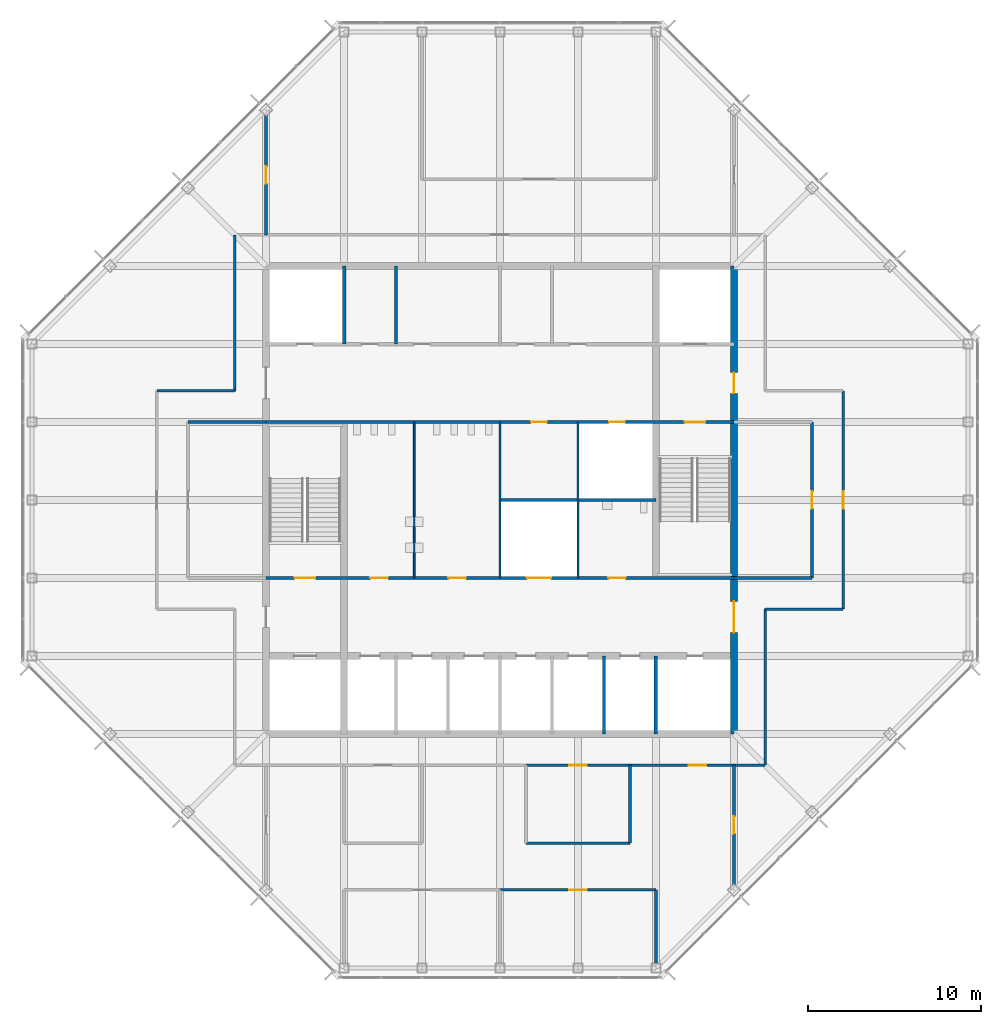
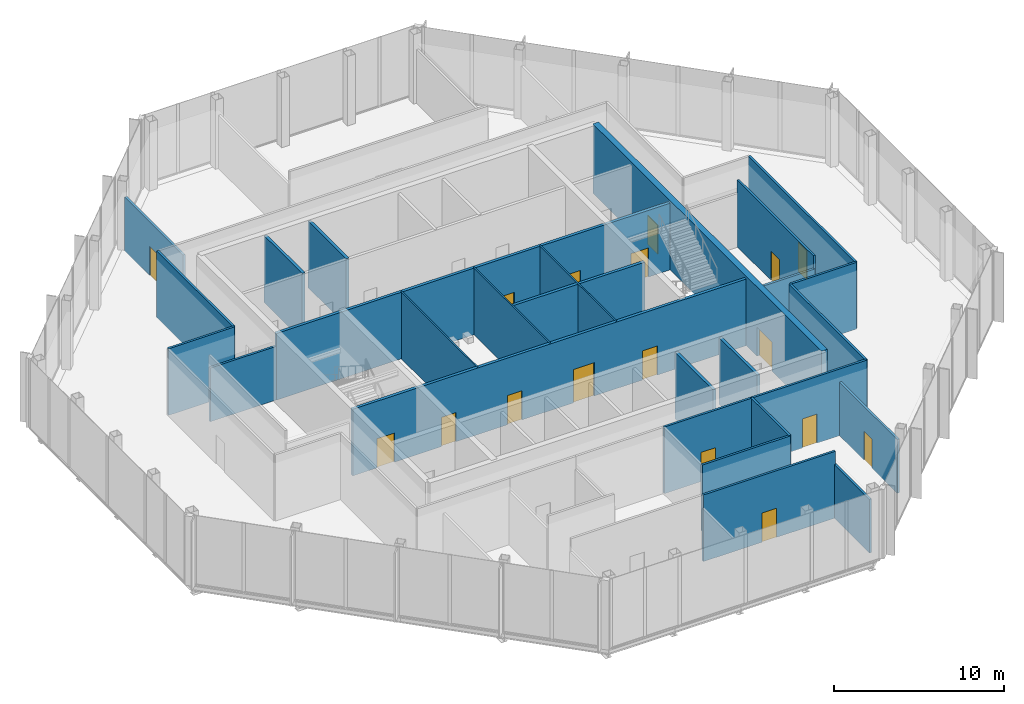
# One storey, part 8 of 11: 27 walls, 17 doors, 17 openings.
"""IFC4 building model written with IfcOpenShell, lengths in metres."""

from ifc_helpers import new_model, si_unit, direction, frame, frame_2d, origin, place, context, subcontext, project, spatial, rectangle, extrude, material, layer, layer_set, type_object, element, fill, save


model = new_model("IFC4")

# Units and contexts
model_context = context("Model", 3, precision=1e-05, world=origin(), true_north=direction((0.0, 1.0)))
body_context = subcontext(model_context, "Body", "Model", "MODEL_VIEW")
ifc_project = project(units=[si_unit("LENGTHUNIT", "METRE"), si_unit("AREAUNIT", "SQUARE_METRE"), si_unit("VOLUMEUNIT", "CUBIC_METRE"), si_unit("PLANEANGLEUNIT", "RADIAN"), si_unit("MASSUNIT", "GRAM", prefix="KILO")], contexts=[model_context])

# Site, building, storey
site_placement = place(None, origin())
site = spatial("IfcSite", under=ifc_project, at=site_placement, CompositionType="ELEMENT")
building_placement = place(site_placement, origin())
building = spatial("IfcBuilding", under=site, at=building_placement, Name="Corais Broadcast Tower", CompositionType="ELEMENT")
storey_placement = place(building_placement, frame((0.0, 0.0, 315.10009765625)))
storey = spatial("IfcBuildingStorey", under=building, at=storey_placement, Name="L74", CompositionType="ELEMENT", Elevation=315.10009765625)

# Walls
ifc_material_1 = material(Name="Concrete blockwork class A, grouted, two-hour", Category="masonry")
ifc_layer_1 = layer(ifc_material_1, 0.199951171875)
ifc_layer_set_1 = layer_set([ifc_layer_1], Name="Concrete blockwork class A, grouted, two-hour")
wall_type_1 = type_object("IfcWallType", Name="Core lobby wall 200", PredefinedType="SOLIDWALL", material=ifc_layer_set_1)
for number, where, z_axis, x_axis, name in (
    (1, (18.0, 36.0, 0.0), (0.0, 0.0, 1.0), (0.0, 1.0, 0.0), "CL3 core shaft wall X18B L74"),
    (2, (36.0, 13.5, 0.0), (0.0, 0.0, 1.0), (0.0, 1.0, 0.0), "CL3 core shaft wall X36A L74"),
):
    element("IfcWall", number, at=place(storey_placement, frame(where, z_axis=z_axis, x_axis=x_axis)), inside=storey, type_object=wall_type_1, Name=name, PredefinedType="SOLIDWALL", context=body_context, shape_type="SweptSolid", body=[
        extrude(rectangle(XDim=4.5, YDim=0.199951171875, at=frame_2d((2.25, 0.0))), origin(), (0.0, 0.0, 1.0), 4.7998046875),
    ])

# Wall, openings, doors
wall_1_placement = place(storey_placement, frame((13.5, 22.5, 0.0), z_axis=(0.0, 0.0, 1.0), x_axis=(1.0, 0.0, 0.0)))
wall_1 = element("IfcWall", 3, at=wall_1_placement, inside=storey, type_object=wall_type_1, Name="CL3 core lobby wall Y225 L74", PredefinedType="SOLIDWALL", context=body_context, shape_type="SweptSolid", body=[
    extrude(rectangle(XDim=27.0, YDim=0.199951171875, at=frame_2d((13.5, 0.0))), origin(), (0.0, 0.0, 1.0), 4.7998046875),
])
opening_1_placement = place(wall_1_placement, frame((1.64990234375, 0.0, 0.0)))
opening_1 = element("IfcOpeningElement", 4, at=opening_1_placement, cuts=wall_1, Name="Opening FD1", PredefinedType="OPENING", context=body_context, shape_type="SweptSolid", body=[
    extrude(rectangle(XDim=1.199951171875, YDim=2.10009765625, at=frame_2d((0.60009765625, 1.050048828125))), frame((0.0, 0.10986328125, 0.0), z_axis=(0.0, -1.0, 0.0), x_axis=(1.0, 0.0, 0.0)), (0.0, 0.0, 1.0), 0.219970703125),
])
opening_2_placement = place(wall_1_placement, frame((6.02490234375, 0.0, 0.0)))
opening_2 = element("IfcOpeningElement", 5, at=opening_2_placement, cuts=wall_1, Name="Opening WD1", PredefinedType="OPENING", context=body_context, shape_type="SweptSolid", body=[
    extrude(rectangle(XDim=1.0, YDim=2.10009765625, at=frame_2d((0.5, 1.050048828125))), frame((0.0, 0.10986328125, 0.0), z_axis=(0.0, -1.0, 0.0), x_axis=(1.0, 0.0, 0.0)), (0.0, 0.0, 1.0), 0.219970703125),
])
opening_3_placement = place(wall_1_placement, frame((10.52490234375, 0.0, 0.0)))
opening_3 = element("IfcOpeningElement", 6, at=opening_3_placement, cuts=wall_1, Name="Opening WD1", PredefinedType="OPENING", context=body_context, shape_type="SweptSolid", body=[
    extrude(rectangle(XDim=1.0, YDim=2.10009765625, at=frame_2d((0.5, 1.050048828125))), frame((0.0, 0.10986328125, 0.0), z_axis=(0.0, -1.0, 0.0), x_axis=(1.0, 0.0, 0.0)), (0.0, 0.0, 1.0), 0.219970703125),
])
opening_4_placement = place(wall_1_placement, frame((19.75, 0.0, 0.0)))
opening_4 = element("IfcOpeningElement", 7, at=opening_4_placement, cuts=wall_1, Name="Opening WD1", PredefinedType="OPENING", context=body_context, shape_type="SweptSolid", body=[
    extrude(rectangle(XDim=1.0, YDim=2.10009765625, at=frame_2d((0.5, 1.050048828125))), frame((0.0, 0.10986328125, 0.0), z_axis=(0.0, -1.0, 0.0), x_axis=(1.0, 0.0, 0.0)), (0.0, 0.0, 1.0), 0.219970703125),
])
opening_5_placement = place(wall_1_placement, frame((15.050048828125, 0.0, 0.0)))
opening_5 = element("IfcOpeningElement", 8, at=opening_5_placement, cuts=wall_1, Name="Opening LD3", PredefinedType="OPENING", context=body_context, shape_type="SweptSolid", body=[
    extrude(rectangle(XDim=1.39990234375, YDim=2.39990234375, at=frame_2d((0.699951171875, 1.199951171875))), frame((0.0, 0.10986328125, 0.0), z_axis=(0.0, -1.0, 0.0), x_axis=(1.0, 0.0, 0.0)), (0.0, 0.0, 1.0), 0.219970703125),
])
ifc_material_2 = material(Name="Steel fire door", Category="steel")
door_type_1 = type_object("IfcDoorType", Name="Fire door 1200x2100", OperationType="SINGLE_SWING_LEFT", PredefinedType="DOOR", material=ifc_material_2)
door_1_placement = place(opening_1_placement, origin())
door_1 = element("IfcDoor", 9, at=door_1_placement, inside=storey, type_object=door_type_1, Name="FD1 stair A door L74", OperationType="SINGLE_SWING_LEFT", OverallHeight=2.10009765625, OverallWidth=1.199951171875, PredefinedType="DOOR", context=body_context, shape_type="SweptSolid", body=[
    extrude(rectangle(XDim=1.199951171875, YDim=2.10009765625, at=frame_2d((0.60009765625, 1.050048828125))), frame((0.0, 0.02490234375, 0.0), z_axis=(0.0, -1.0, 0.0), x_axis=(1.0, 0.0, 0.0)), (0.0, 0.0, 1.0), 0.050048828125),
])
fill(opening_1, door_1)
ifc_material_3 = material(Name="Stainless steel lift door", Category="steel")
door_type_2 = type_object("IfcDoorType", Name="Service lift landing door 1400x2400", OperationType="SLIDING_TO_LEFT", PredefinedType="DOOR", material=ifc_material_3)
door_2_placement = place(opening_5_placement, origin())
door_2 = element("IfcDoor", 10, at=door_2_placement, inside=storey, type_object=door_type_2, Name="LD3 SL1 landing door L74", OperationType="SLIDING_TO_LEFT", OverallHeight=2.39990234375, OverallWidth=1.39990234375, PredefinedType="DOOR", context=body_context, shape_type="SweptSolid", body=[
    extrude(rectangle(XDim=1.39990234375, YDim=2.39990234375, at=frame_2d((0.699951171875, 1.199951171875))), frame((0.0, 0.02490234375, 0.0), z_axis=(0.0, -1.0, 0.0), x_axis=(1.0, 0.0, 0.0)), (0.0, 0.0, 1.0), 0.050048828125),
])
fill(opening_5, door_2)
ifc_material_4 = material(Name="Timber door", Category="wood")
door_type_3 = type_object("IfcDoorType", Name="Toilet door 1000x2100", OperationType="SINGLE_SWING_LEFT", PredefinedType="DOOR", material=ifc_material_4)
door_3_placement = place(opening_2_placement, origin())
door_3 = element("IfcDoor", 11, at=door_3_placement, inside=storey, type_object=door_type_3, Name="WD1 WC male door L74", OperationType="SINGLE_SWING_LEFT", OverallHeight=2.10009765625, OverallWidth=1.0, PredefinedType="DOOR", context=body_context, shape_type="SweptSolid", body=[
    extrude(rectangle(XDim=1.0, YDim=2.10009765625, at=frame_2d((0.5, 1.050048828125))), frame((0.0, 0.02490234375, 0.0), z_axis=(0.0, -1.0, 0.0), x_axis=(1.0, 0.0, 0.0)), (0.0, 0.0, 1.0), 0.050048828125),
])
fill(opening_2, door_3)
door_4_placement = place(opening_3_placement, origin())
door_4 = element("IfcDoor", 12, at=door_4_placement, inside=storey, type_object=door_type_3, Name="WD1 WC female door L74", OperationType="SINGLE_SWING_LEFT", OverallHeight=2.10009765625, OverallWidth=1.0, PredefinedType="DOOR", context=body_context, shape_type="SweptSolid", body=[
    extrude(rectangle(XDim=1.0, YDim=2.10009765625, at=frame_2d((0.5, 1.050048828125))), frame((0.0, 0.02490234375, 0.0), z_axis=(0.0, -1.0, 0.0), x_axis=(1.0, 0.0, 0.0)), (0.0, 0.0, 1.0), 0.050048828125),
])
fill(opening_3, door_4)
door_5_placement = place(opening_4_placement, origin())
door_5 = element("IfcDoor", 13, at=door_5_placement, inside=storey, type_object=door_type_3, Name="WD1 accessible WC door L74", OperationType="SINGLE_SWING_RIGHT", OverallHeight=2.10009765625, OverallWidth=1.0, PredefinedType="DOOR", context=body_context, shape_type="SweptSolid", body=[
    extrude(rectangle(XDim=1.0, YDim=2.10009765625, at=frame_2d((0.5, 1.050048828125))), frame((0.0, 0.02490234375, 0.0), z_axis=(0.0, -1.0, 0.0), x_axis=(1.0, 0.0, 0.0)), (0.0, 0.0, 1.0), 0.050048828125),
])
fill(opening_4, door_5)

wall_2_placement = place(storey_placement, frame((13.5, 31.5, 0.0), z_axis=(0.0, 0.0, 1.0), x_axis=(1.0, 0.0, 0.0)))
wall_2 = element("IfcWall", 14, at=wall_2_placement, inside=storey, type_object=wall_type_1, Name="CL3 core lobby wall Y315 L74", PredefinedType="SOLIDWALL", context=body_context, shape_type="SweptSolid", body=[
    extrude(rectangle(XDim=27.0, YDim=0.199951171875, at=frame_2d((13.5, 0.0))), origin(), (0.0, 0.0, 1.0), 4.7998046875),
])
opening_6_placement = place(wall_2_placement, frame((24.14990234375, 0.0, 0.0)))
opening_6 = element("IfcOpeningElement", 15, at=opening_6_placement, cuts=wall_2, Name="Opening FD1", PredefinedType="OPENING", context=body_context, shape_type="SweptSolid", body=[
    extrude(rectangle(XDim=1.199951171875, YDim=2.10009765625, at=frame_2d((0.60009765625, 1.050048828125))), frame((0.0, 0.10986328125, 0.0), z_axis=(0.0, -1.0, 0.0), x_axis=(1.0, 0.0, 0.0)), (0.0, 0.0, 1.0), 0.219970703125),
])
opening_7_placement = place(wall_2_placement, frame((15.300048828125, 0.0, 0.0)))
opening_7 = element("IfcOpeningElement", 16, at=opening_7_placement, cuts=wall_2, Name="Opening RD1", PredefinedType="OPENING", context=body_context, shape_type="SweptSolid", body=[
    extrude(rectangle(XDim=0.89990234375, YDim=2.10009765625, at=frame_2d((0.449951171875, 1.050048828125))), frame((0.0, 0.10986328125, 0.0), z_axis=(0.0, -1.0, 0.0), x_axis=(1.0, 0.0, 0.0)), (0.0, 0.0, 1.0), 0.219970703125),
])
opening_8_placement = place(wall_2_placement, frame((19.800048828125, 0.0, 0.0)))
opening_8 = element("IfcOpeningElement", 17, at=opening_8_placement, cuts=wall_2, Name="Opening RD1", PredefinedType="OPENING", context=body_context, shape_type="SweptSolid", body=[
    extrude(rectangle(XDim=0.89990234375, YDim=2.10009765625, at=frame_2d((0.449951171875, 1.050048828125))), frame((0.0, 0.10986328125, 0.0), z_axis=(0.0, -1.0, 0.0), x_axis=(1.0, 0.0, 0.0)), (0.0, 0.0, 1.0), 0.219970703125),
])
door_6_placement = place(opening_6_placement, origin())
door_6 = element("IfcDoor", 18, at=door_6_placement, inside=storey, type_object=door_type_1, Name="FD1 stair B door L74", OperationType="SINGLE_SWING_RIGHT", OverallHeight=2.10009765625, OverallWidth=1.199951171875, PredefinedType="DOOR", context=body_context, shape_type="SweptSolid", body=[
    extrude(rectangle(XDim=1.199951171875, YDim=2.10009765625, at=frame_2d((0.60009765625, 1.050048828125))), frame((0.0, 0.02490234375, 0.0), z_axis=(0.0, -1.0, 0.0), x_axis=(1.0, 0.0, 0.0)), (0.0, 0.0, 1.0), 0.050048828125),
])
fill(opening_6, door_6)
ifc_material_5 = material(Name="Steel fire door", Category="steel")
door_type_4 = type_object("IfcDoorType", Name="Riser door 900x2100", OperationType="SINGLE_SWING_LEFT", PredefinedType="DOOR", material=ifc_material_5)
door_7_placement = place(opening_7_placement, origin())
door_7 = element("IfcDoor", 19, at=door_7_placement, inside=storey, type_object=door_type_4, Name="RD1 vending room door L74", OperationType="SINGLE_SWING_RIGHT", OverallHeight=2.10009765625, OverallWidth=0.89990234375, PredefinedType="DOOR", context=body_context, shape_type="SweptSolid", body=[
    extrude(rectangle(XDim=0.89990234375, YDim=2.10009765625, at=frame_2d((0.449951171875, 1.050048828125))), frame((0.0, 0.02490234375, 0.0), z_axis=(0.0, -1.0, 0.0), x_axis=(1.0, 0.0, 0.0)), (0.0, 0.0, 1.0), 0.050048828125),
])
fill(opening_7, door_7)
door_8_placement = place(opening_8_placement, origin())
door_8 = element("IfcDoor", 20, at=door_8_placement, inside=storey, type_object=door_type_4, Name="RD1 riser door L74", OperationType="SINGLE_SWING_RIGHT", OverallHeight=2.10009765625, OverallWidth=0.89990234375, PredefinedType="DOOR", context=body_context, shape_type="SweptSolid", body=[
    extrude(rectangle(XDim=0.89990234375, YDim=2.10009765625, at=frame_2d((0.449951171875, 1.050048828125))), frame((0.0, 0.02490234375, 0.0), z_axis=(0.0, -1.0, 0.0), x_axis=(1.0, 0.0, 0.0)), (0.0, 0.0, 1.0), 0.050048828125),
])
fill(opening_8, door_8)

ifc_material_6 = material(Name="Concrete C50/60", Category="concrete")
ifc_layer_2 = layer(ifc_material_6, 0.39990234375)
ifc_layer_set_2 = layer_set([ifc_layer_2], Name="Concrete C50/60")
wall_type_2 = type_object("IfcWallType", Name="Core wall 400", PredefinedType="SHEAR", material=ifc_layer_set_2)
wall_3_placement = place(storey_placement, frame((40.5, 13.5, 0.0), z_axis=(0.0, 0.0, 1.0), x_axis=(0.0, 1.0, 0.0)))
wall_3 = element("IfcWall", 21, at=wall_3_placement, inside=storey, type_object=wall_type_2, Name="CR400 core wall E L74", PredefinedType="SHEAR", context=body_context, shape_type="SweptSolid", body=[
    extrude(rectangle(XDim=27.0, YDim=0.39990234375, at=frame_2d((13.5, 0.0))), origin(), (0.0, 0.0, 1.0), 5.0),
])
opening_9_placement = place(wall_3_placement, frame((5.85009765625, 0.0, 0.0)))
opening_9 = element("IfcOpeningElement", 22, at=opening_9_placement, cuts=wall_3, Name="Opening FD2", PredefinedType="OPENING", context=body_context, shape_type="SweptSolid", body=[
    extrude(rectangle(XDim=1.800048828125, YDim=2.10009765625, at=frame_2d((0.89990234375, 1.050048828125))), frame((0.0, 0.2099609375, 0.0), z_axis=(0.0, -1.0, 0.0), x_axis=(1.0, 0.0, 0.0)), (0.0, 0.0, 1.0), 0.419921875),
])
opening_10_placement = place(wall_3_placement, frame((19.64990234375, 0.0, 0.0)))
opening_10 = element("IfcOpeningElement", 23, at=opening_10_placement, cuts=wall_3, Name="Opening FD1", PredefinedType="OPENING", context=body_context, shape_type="SweptSolid", body=[
    extrude(rectangle(XDim=1.199951171875, YDim=2.10009765625, at=frame_2d((0.60009765625, 1.050048828125))), frame((0.0, 0.2099609375, 0.0), z_axis=(0.0, -1.0, 0.0), x_axis=(1.0, 0.0, 0.0)), (0.0, 0.0, 1.0), 0.419921875),
])
door_9_placement = place(opening_10_placement, origin())
door_9 = element("IfcDoor", 24, at=door_9_placement, inside=storey, type_object=door_type_1, Name="FD1 fire lobby B door L74", OperationType="SINGLE_SWING_RIGHT", OverallHeight=2.10009765625, OverallWidth=1.199951171875, PredefinedType="DOOR", context=body_context, shape_type="SweptSolid", body=[
    extrude(rectangle(XDim=1.199951171875, YDim=2.10009765625, at=frame_2d((0.60009765625, 1.050048828125))), frame((0.0, 0.02490234375, 0.0), z_axis=(0.0, -1.0, 0.0), x_axis=(1.0, 0.0, 0.0)), (0.0, 0.0, 1.0), 0.050048828125),
])
fill(opening_10, door_9)
ifc_material_7 = material(Name="Steel fire door", Category="steel")
door_type_5 = type_object("IfcDoorType", Name="Fire door pair 1800x2100", OperationType="DOUBLE_DOOR_SINGLE_SWING", PredefinedType="DOOR", material=ifc_material_7)
door_10_placement = place(opening_9_placement, origin())
door_10 = element("IfcDoor", 25, at=door_10_placement, inside=storey, type_object=door_type_5, Name="FD2 lift lobby door L74", OperationType="SINGLE_SWING_LEFT", OverallHeight=2.10009765625, OverallWidth=1.800048828125, PredefinedType="DOOR", context=body_context, shape_type="SweptSolid", body=[
    extrude(rectangle(XDim=1.800048828125, YDim=2.10009765625, at=frame_2d((0.89990234375, 1.050048828125))), frame((0.0, 0.02490234375, 0.0), z_axis=(0.0, -1.0, 0.0), x_axis=(1.0, 0.0, 0.0)), (0.0, 0.0, 1.0), 0.050048828125),
])
fill(opening_9, door_10)

# Wall, opening, door
ifc_material_8 = material(Name="Gypsum board on steel studs", Category="steel")
ifc_layer_3 = layer(ifc_material_8, 0.14990234375)
ifc_layer_set_3 = layer_set([ifc_layer_3], Name="Gypsum board on steel studs")
wall_type_3 = type_object("IfcWallType", Name="Partition 150", PredefinedType="PARTITIONING", material=ifc_layer_set_3)
wall_4_placement = place(storey_placement, frame((46.800048828125, 20.699951171875, 0.0), z_axis=(0.0, 0.0, 1.0), x_axis=(0.0, 1.0, 0.0)))
wall_4 = element("IfcWall", 26, at=wall_4_placement, inside=storey, type_object=wall_type_3, Name="IW3 corridor wall L74", PredefinedType="PARTITIONING", context=body_context, shape_type="SweptSolid", body=[
    extrude(rectangle(XDim=12.60009765625, YDim=0.14990234375, at=frame_2d((6.300048828125, 0.0))), origin(), (0.0, 0.0, 1.0), 4.7998046875),
])
opening_11_placement = place(wall_4_placement, frame((5.800048828125, 0.0, 0.0)))
opening_11 = element("IfcOpeningElement", 27, at=opening_11_placement, cuts=wall_4, Name="Opening D1", PredefinedType="OPENING", context=body_context, shape_type="SweptSolid", body=[
    extrude(rectangle(XDim=1.0, YDim=2.10009765625, at=frame_2d((0.5, 1.050048828125))), frame((0.0, 0.0849609375, 0.0), z_axis=(0.0, -1.0, 0.0), x_axis=(1.0, 0.0, 0.0)), (0.0, 0.0, 1.0), 0.169921875),
])
ifc_material_9 = material(Name="Timber door", Category="wood")
door_type_6 = type_object("IfcDoorType", Name="Single door 1000x2100", OperationType="SINGLE_SWING_LEFT", PredefinedType="DOOR", material=ifc_material_9)
door_11_placement = place(opening_11_placement, origin())
door_11 = element("IfcDoor", 28, at=door_11_placement, inside=storey, type_object=door_type_6, Name="D1 workplace door L74", OperationType="SINGLE_SWING_LEFT", OverallHeight=2.10009765625, OverallWidth=1.0, PredefinedType="DOOR", context=body_context, shape_type="SweptSolid", body=[
    extrude(rectangle(XDim=1.0, YDim=2.10009765625, at=frame_2d((0.5, 1.050048828125))), frame((0.0, 0.02490234375, 0.0), z_axis=(0.0, -1.0, 0.0), x_axis=(1.0, 0.0, 0.0)), (0.0, 0.0, 1.0), 0.050048828125),
])
fill(opening_11, door_11)

# Walls
for number, where, z_axis, x_axis, name in (
    (29, (11.699951171875, 42.300048828125, 0.0), (0.0, 0.0, 1.0), (0.0, -1.0, 0.0), "IW3 corridor wall L74"),
    (30, (42.300048828125, 11.699951171875, 0.0), (0.0, 0.0, 1.0), (0.0, 1.0, 0.0), "IW3 corridor wall L74"),
):
    element("IfcWall", number, at=place(storey_placement, frame(where, z_axis=z_axis, x_axis=x_axis)), inside=storey, type_object=wall_type_3, Name=name, PredefinedType="PARTITIONING", context=body_context, shape_type="SweptSolid", body=[
        extrude(rectangle(XDim=9.0, YDim=0.14990234375, at=frame_2d((4.5, 0.0))), origin(), (0.0, 0.0, 1.0), 4.7998046875),
    ])

# Wall, opening, door
wall_5_placement = place(storey_placement, frame((34.5, 11.699951171875, 0.0), z_axis=(0.0, 0.0, 1.0), x_axis=(1.0, 0.0, 0.0)))
wall_5 = element("IfcWall", 31, at=wall_5_placement, inside=storey, type_object=wall_type_3, Name="IW3 corridor wall L74", PredefinedType="PARTITIONING", context=body_context, shape_type="SweptSolid", body=[
    extrude(rectangle(XDim=7.800048828125, YDim=0.14990234375, at=frame_2d((3.89990234375, 0.0))), origin(), (0.0, 0.0, 1.0), 4.7998046875),
])
opening_12_placement = place(wall_5_placement, frame((3.39990234375, 0.0, 0.0)))
opening_12 = element("IfcOpeningElement", 32, at=opening_12_placement, cuts=wall_5, Name="Opening D1", PredefinedType="OPENING", context=body_context, shape_type="SweptSolid", body=[
    extrude(rectangle(XDim=1.0, YDim=2.10009765625, at=frame_2d((0.5, 1.050048828125))), frame((0.0, 0.0849609375, 0.0), z_axis=(0.0, -1.0, 0.0), x_axis=(1.0, 0.0, 0.0)), (0.0, 0.0, 1.0), 0.169921875),
])
door_12_placement = place(opening_12_placement, origin())
door_12 = element("IfcDoor", 33, at=door_12_placement, inside=storey, type_object=door_type_6, Name="D1 workplace door L74", OperationType="SINGLE_SWING_LEFT", OverallHeight=2.10009765625, OverallWidth=1.0, PredefinedType="DOOR", context=body_context, shape_type="SweptSolid", body=[
    extrude(rectangle(XDim=1.0, YDim=2.10009765625, at=frame_2d((0.5, 1.050048828125))), frame((0.0, 0.02490234375, 0.0), z_axis=(0.0, -1.0, 0.0), x_axis=(1.0, 0.0, 0.0)), (0.0, 0.0, 1.0), 0.050048828125),
])
fill(opening_12, door_12)

# Walls
for number, where, z_axis, x_axis, name in (
    (34, (11.699951171875, 33.300048828125, 0.0), (0.0, 0.0, 1.0), (-1.0, 0.0, 0.0), "IW3 corridor wall L74"),
    (35, (42.300048828125, 20.699951171875, 0.0), (0.0, 0.0, 1.0), (1.0, 0.0, 0.0), "IW3 corridor wall L74"),
):
    element("IfcWall", number, at=place(storey_placement, frame(where, z_axis=z_axis, x_axis=x_axis)), inside=storey, type_object=wall_type_3, Name=name, PredefinedType="PARTITIONING", context=body_context, shape_type="SweptSolid", body=[
        extrude(rectangle(XDim=4.5, YDim=0.14990234375, at=frame_2d((2.25, 0.0))), origin(), (0.0, 0.0, 1.0), 4.7998046875),
    ])
wall_6_placement = place(storey_placement, frame((40.5, 22.5, 0.0), z_axis=(0.0, 0.0, 1.0), x_axis=(1.0, 0.0, 0.0)))
element("IfcWall", 36, at=wall_6_placement, inside=storey, type_object=wall_type_3, Name="IW3 partition L74", PredefinedType="PARTITIONING", context=body_context, shape_type="SweptSolid", body=[
    extrude(rectangle(XDim=4.5, YDim=0.14990234375, at=frame_2d((2.25, 0.0))), origin(), (0.0, 0.0, 1.0), 3.867919921875),
])

# Wall, opening, door
wall_7_placement = place(storey_placement, frame((45.0, 22.5, 0.0), z_axis=(0.0, 0.0, 1.0), x_axis=(0.0, 1.0, 0.0)))
wall_7 = element("IfcWall", 37, at=wall_7_placement, inside=storey, type_object=wall_type_3, Name="IW3 partition L74", PredefinedType="PARTITIONING", context=body_context, shape_type="SweptSolid", body=[
    extrude(rectangle(XDim=9.0, YDim=0.14990234375, at=frame_2d((4.5, 0.0))), origin(), (0.0, 0.0, 1.0), 4.7998046875),
])
opening_13_placement = place(wall_7_placement, frame((4.0, 0.0, 0.0)))
opening_13 = element("IfcOpeningElement", 38, at=opening_13_placement, cuts=wall_7, Name="Opening D1", PredefinedType="OPENING", context=body_context, shape_type="SweptSolid", body=[
    extrude(rectangle(XDim=1.0, YDim=2.10009765625, at=frame_2d((0.5, 1.050048828125))), frame((0.0, 0.0849609375, 0.0), z_axis=(0.0, -1.0, 0.0), x_axis=(1.0, 0.0, 0.0)), (0.0, 0.0, 1.0), 0.169921875),
])
door_13_placement = place(opening_13_placement, origin())
door_13 = element("IfcDoor", 39, at=door_13_placement, inside=storey, type_object=door_type_6, Name="D1 Pantry door", OperationType="SINGLE_SWING_LEFT", OverallHeight=2.10009765625, OverallWidth=1.0, PredefinedType="DOOR", context=body_context, shape_type="SweptSolid", body=[
    extrude(rectangle(XDim=1.0, YDim=2.10009765625, at=frame_2d((0.5, 1.050048828125))), frame((0.0, 0.02490234375, 0.0), z_axis=(0.0, -1.0, 0.0), x_axis=(1.0, 0.0, 0.0)), (0.0, 0.0, 1.0), 0.050048828125),
])
fill(opening_13, door_13)

# Walls
wall_8_placement = place(storey_placement, frame((28.5, 7.199951171875, 0.0), z_axis=(0.0, 0.0, 1.0), x_axis=(1.0, 0.0, 0.0)))
element("IfcWall", 40, at=wall_8_placement, inside=storey, type_object=wall_type_3, Name="IW3 partition L74", PredefinedType="PARTITIONING", context=body_context, shape_type="SweptSolid", body=[
    extrude(rectangle(XDim=6.0, YDim=0.14990234375, at=frame_2d((3.0, 0.0))), origin(), (0.0, 0.0, 1.0), 4.7998046875),
])
wall_9_placement = place(storey_placement, frame((34.5, 7.199951171875, 0.0), z_axis=(0.0, 0.0, 1.0), x_axis=(0.0, 1.0, 0.0)))
element("IfcWall", 41, at=wall_9_placement, inside=storey, type_object=wall_type_3, Name="IW3 partition L74", PredefinedType="PARTITIONING", context=body_context, shape_type="SweptSolid", body=[
    extrude(rectangle(XDim=4.5, YDim=0.14990234375, at=frame_2d((2.25, 0.0))), origin(), (0.0, 0.0, 1.0), 4.7998046875),
])

# Wall, opening, door
wall_10_placement = place(storey_placement, frame((34.5, 11.699951171875, 0.0), z_axis=(0.0, 0.0, 1.0), x_axis=(-1.0, 0.0, 0.0)))
wall_10 = element("IfcWall", 42, at=wall_10_placement, inside=storey, type_object=wall_type_3, Name="IW3 partition L74", PredefinedType="PARTITIONING", context=body_context, shape_type="SweptSolid", body=[
    extrude(rectangle(XDim=6.0, YDim=0.14990234375, at=frame_2d((3.0, 0.0))), origin(), (0.0, 0.0, 1.0), 4.7998046875),
])
opening_14_placement = place(wall_10_placement, frame((2.5, 0.0, 0.0)))
opening_14 = element("IfcOpeningElement", 43, at=opening_14_placement, cuts=wall_10, Name="Opening D1", PredefinedType="OPENING", context=body_context, shape_type="SweptSolid", body=[
    extrude(rectangle(XDim=1.0, YDim=2.10009765625, at=frame_2d((0.5, 1.050048828125))), frame((0.0, 0.0849609375, 0.0), z_axis=(0.0, -1.0, 0.0), x_axis=(1.0, 0.0, 0.0)), (0.0, 0.0, 1.0), 0.169921875),
])
door_14_placement = place(opening_14_placement, origin())
door_14 = element("IfcDoor", 44, at=door_14_placement, inside=storey, type_object=door_type_6, Name="D1 Hospitality lounge door", OperationType="SINGLE_SWING_LEFT", OverallHeight=2.10009765625, OverallWidth=1.0, PredefinedType="DOOR", context=body_context, shape_type="SweptSolid", body=[
    extrude(rectangle(XDim=1.0, YDim=2.10009765625, at=frame_2d((0.5, 1.050048828125))), frame((0.0, 0.02490234375, 0.0), z_axis=(0.0, -1.0, 0.0), x_axis=(1.0, 0.0, 0.0)), (0.0, 0.0, 1.0), 0.050048828125),
])
fill(opening_14, door_14)

# Wall
wall_11_placement = place(storey_placement, frame((36.0, 0.284912109375, 0.0), z_axis=(0.0, 0.0, 1.0), x_axis=(0.0, 1.0, 0.0)))
element("IfcWall", 45, at=wall_11_placement, inside=storey, type_object=wall_type_3, Name="IW3 partition L74", PredefinedType="PARTITIONING", context=body_context, shape_type="SweptSolid", body=[
    extrude(rectangle(XDim=4.215087890625, YDim=0.14990234375, at=frame_2d((2.107421875, 0.0))), origin(), (0.0, 0.0, 1.0), 3.867919921875),
])

# Wall, opening, door
wall_12_placement = place(storey_placement, frame((36.0, 4.5, 0.0), z_axis=(0.0, 0.0, 1.0), x_axis=(-1.0, 0.0, 0.0)))
wall_12 = element("IfcWall", 46, at=wall_12_placement, inside=storey, type_object=wall_type_3, Name="IW3 partition L74", PredefinedType="PARTITIONING", context=body_context, shape_type="SweptSolid", body=[
    extrude(rectangle(XDim=9.0, YDim=0.14990234375, at=frame_2d((4.5, 0.0))), origin(), (0.0, 0.0, 1.0), 4.7998046875),
])
opening_15_placement = place(wall_12_placement, frame((4.0, 0.0, 0.0)))
opening_15 = element("IfcOpeningElement", 47, at=opening_15_placement, cuts=wall_12, Name="Opening D1", PredefinedType="OPENING", context=body_context, shape_type="SweptSolid", body=[
    extrude(rectangle(XDim=1.0, YDim=2.10009765625, at=frame_2d((0.5, 1.050048828125))), frame((0.0, 0.0849609375, 0.0), z_axis=(0.0, -1.0, 0.0), x_axis=(1.0, 0.0, 0.0)), (0.0, 0.0, 1.0), 0.169921875),
])
door_15_placement = place(opening_15_placement, origin())
door_15 = element("IfcDoor", 48, at=door_15_placement, inside=storey, type_object=door_type_6, Name="D1 Catering servery door", OperationType="SINGLE_SWING_LEFT", OverallHeight=2.10009765625, OverallWidth=1.0, PredefinedType="DOOR", context=body_context, shape_type="SweptSolid", body=[
    extrude(rectangle(XDim=1.0, YDim=2.10009765625, at=frame_2d((0.5, 1.050048828125))), frame((0.0, 0.02490234375, 0.0), z_axis=(0.0, -1.0, 0.0), x_axis=(1.0, 0.0, 0.0)), (0.0, 0.0, 1.0), 0.050048828125),
])
fill(opening_15, door_15)

# Wall
wall_13_placement = place(storey_placement, frame((13.5, 31.5, 0.0), z_axis=(0.0, 0.0, 1.0), x_axis=(-1.0, 0.0, 0.0)))
element("IfcWall", 49, at=wall_13_placement, inside=storey, type_object=wall_type_3, Name="IW3 partition L74", PredefinedType="PARTITIONING", context=body_context, shape_type="SweptSolid", body=[
    extrude(rectangle(XDim=4.5, YDim=0.14990234375, at=frame_2d((2.25, 0.0))), origin(), (0.0, 0.0, 1.0), 3.867919921875),
])

# Wall, opening, door
wall_14_placement = place(storey_placement, frame((13.5, 42.300048828125, 0.0), z_axis=(0.0, 0.0, 1.0), x_axis=(0.0, 1.0, 0.0)))
wall_14 = element("IfcWall", 50, at=wall_14_placement, inside=storey, type_object=wall_type_3, Name="IW3 partition L74", PredefinedType="PARTITIONING", context=body_context, shape_type="SweptSolid", body=[
    extrude(rectangle(XDim=6.905029296875, YDim=0.14990234375, at=frame_2d((3.45263671875, 0.0))), origin(), (0.0, 0.0, 1.0), 3.867919921875),
])
opening_16_placement = place(wall_14_placement, frame((2.952392578125, 0.0, 0.0)))
opening_16 = element("IfcOpeningElement", 51, at=opening_16_placement, cuts=wall_14, Name="Opening D1", PredefinedType="OPENING", context=body_context, shape_type="SweptSolid", body=[
    extrude(rectangle(XDim=1.0, YDim=2.10009765625, at=frame_2d((0.5, 1.050048828125))), frame((0.0, 0.0849609375, 0.0), z_axis=(0.0, -1.0, 0.0), x_axis=(1.0, 0.0, 0.0)), (0.0, 0.0, 1.0), 0.169921875),
])
door_16_placement = place(opening_16_placement, origin())
door_16 = element("IfcDoor", 52, at=door_16_placement, inside=storey, type_object=door_type_6, Name="D1 team room door L74", OperationType="SINGLE_SWING_LEFT", OverallHeight=2.10009765625, OverallWidth=1.0, PredefinedType="DOOR", context=body_context, shape_type="SweptSolid", body=[
    extrude(rectangle(XDim=1.0, YDim=2.10009765625, at=frame_2d((0.5, 1.050048828125))), frame((0.0, 0.02490234375, 0.0), z_axis=(0.0, -1.0, 0.0), x_axis=(1.0, 0.0, 0.0)), (0.0, 0.0, 1.0), 0.050048828125),
])
fill(opening_16, door_16)

wall_15_placement = place(storey_placement, frame((40.5, 4.794921875, 0.0), z_axis=(0.0, 0.0, 1.0), x_axis=(0.0, 1.0, 0.0)))
wall_15 = element("IfcWall", 53, at=wall_15_placement, inside=storey, type_object=wall_type_3, Name="IW3 partition L74", PredefinedType="PARTITIONING", context=body_context, shape_type="SweptSolid", body=[
    extrude(rectangle(XDim=6.905029296875, YDim=0.14990234375, at=frame_2d((3.45263671875, 0.0))), origin(), (0.0, 0.0, 1.0), 3.867919921875),
])
opening_17_placement = place(wall_15_placement, frame((2.952392578125, 0.0, 0.0)))
opening_17 = element("IfcOpeningElement", 54, at=opening_17_placement, cuts=wall_15, Name="Opening D1", PredefinedType="OPENING", context=body_context, shape_type="SweptSolid", body=[
    extrude(rectangle(XDim=1.0, YDim=2.10009765625, at=frame_2d((0.5, 1.050048828125))), frame((0.0, 0.0849609375, 0.0), z_axis=(0.0, -1.0, 0.0), x_axis=(1.0, 0.0, 0.0)), (0.0, 0.0, 1.0), 0.169921875),
])
door_17_placement = place(opening_17_placement, origin())
door_17 = element("IfcDoor", 55, at=door_17_placement, inside=storey, type_object=door_type_6, Name="D1 team room door L74", OperationType="SINGLE_SWING_LEFT", OverallHeight=2.10009765625, OverallWidth=1.0, PredefinedType="DOOR", context=body_context, shape_type="SweptSolid", body=[
    extrude(rectangle(XDim=1.0, YDim=2.10009765625, at=frame_2d((0.5, 1.050048828125))), frame((0.0, 0.02490234375, 0.0), z_axis=(0.0, -1.0, 0.0), x_axis=(1.0, 0.0, 0.0)), (0.0, 0.0, 1.0), 0.050048828125),
])
fill(opening_17, door_17)

# Walls
ifc_material_10 = material(Name="Concrete blockwork class A, grouted, two-hour", Category="masonry")
ifc_layer_4 = layer(ifc_material_10, 0.199951171875)
ifc_layer_set_4 = layer_set([ifc_layer_4], Name="Concrete blockwork class A, grouted, two-hour")
wall_type_4 = type_object("IfcWallType", Name="Shaft wall 200", PredefinedType="PARTITIONING", material=ifc_layer_set_4)
for number, where, z_axis, x_axis, name in (
    (56, (21.0, 36.0, 0.0), (0.0, 0.0, 1.0), (0.0, 1.0, 0.0), "IW1 shaft wall L74"),
    (57, (33.0, 13.5, 0.0), (0.0, 0.0, 1.0), (0.0, 1.0, 0.0), "IW1 shaft wall L74"),
):
    element("IfcWall", number, at=place(storey_placement, frame(where, z_axis=z_axis, x_axis=x_axis)), inside=storey, type_object=wall_type_4, Name=name, PredefinedType="PARTITIONING", context=body_context, shape_type="SweptSolid", body=[
        extrude(rectangle(XDim=4.5, YDim=0.199951171875, at=frame_2d((2.25, 0.0))), origin(), (0.0, 0.0, 1.0), 4.7998046875),
    ])
wall_16_placement = place(storey_placement, frame((27.0, 27.0, 0.0), z_axis=(0.0, 0.0, 1.0), x_axis=(1.0, 0.0, 0.0)))
element("IfcWall", 58, at=wall_16_placement, inside=storey, type_object=wall_type_4, Name="IW1 shaft wall L74", PredefinedType="PARTITIONING", context=body_context, shape_type="SweptSolid", body=[
    extrude(rectangle(XDim=9.0, YDim=0.199951171875, at=frame_2d((4.5, 0.0))), origin(), (0.0, 0.0, 1.0), 4.7998046875),
])
ifc_material_11 = material(Name="Dense concrete blockwork class A, tiled both faces", Category="masonry")
ifc_layer_5 = layer(ifc_material_11, 0.10009765625)
ifc_layer_set_5 = layer_set([ifc_layer_5], Name="Dense concrete blockwork class A, tiled both faces")
wall_type_5 = type_object("IfcWallType", Name="Toilet wall 100", PredefinedType="PLUMBINGWALL", material=ifc_layer_set_5)
for number, where, z_axis, x_axis, name in (
    (59, (22.050048828125, 22.5, 0.0), (0.0, 0.0, 1.0), (0.0, 1.0, 0.0), "IW2 toilet wall L74"),
    (60, (27.0, 22.5, 0.0), (0.0, 0.0, 1.0), (0.0, 1.0, 0.0), "IW2 toilet wall L74"),
    (61, (31.5, 22.5, 0.0), (0.0, 0.0, 1.0), (0.0, 1.0, 0.0), "IW2 toilet wall L74"),
):
    element("IfcWall", number, at=place(storey_placement, frame(where, z_axis=z_axis, x_axis=x_axis)), inside=storey, type_object=wall_type_5, Name=name, PredefinedType="PLUMBINGWALL", context=body_context, shape_type="SweptSolid", body=[
        extrude(rectangle(XDim=9.0, YDim=0.10009765625, at=frame_2d((4.5, 0.0))), origin(), (0.0, 0.0, 1.0), 4.7998046875),
    ])

save(model, "model.ifc")
